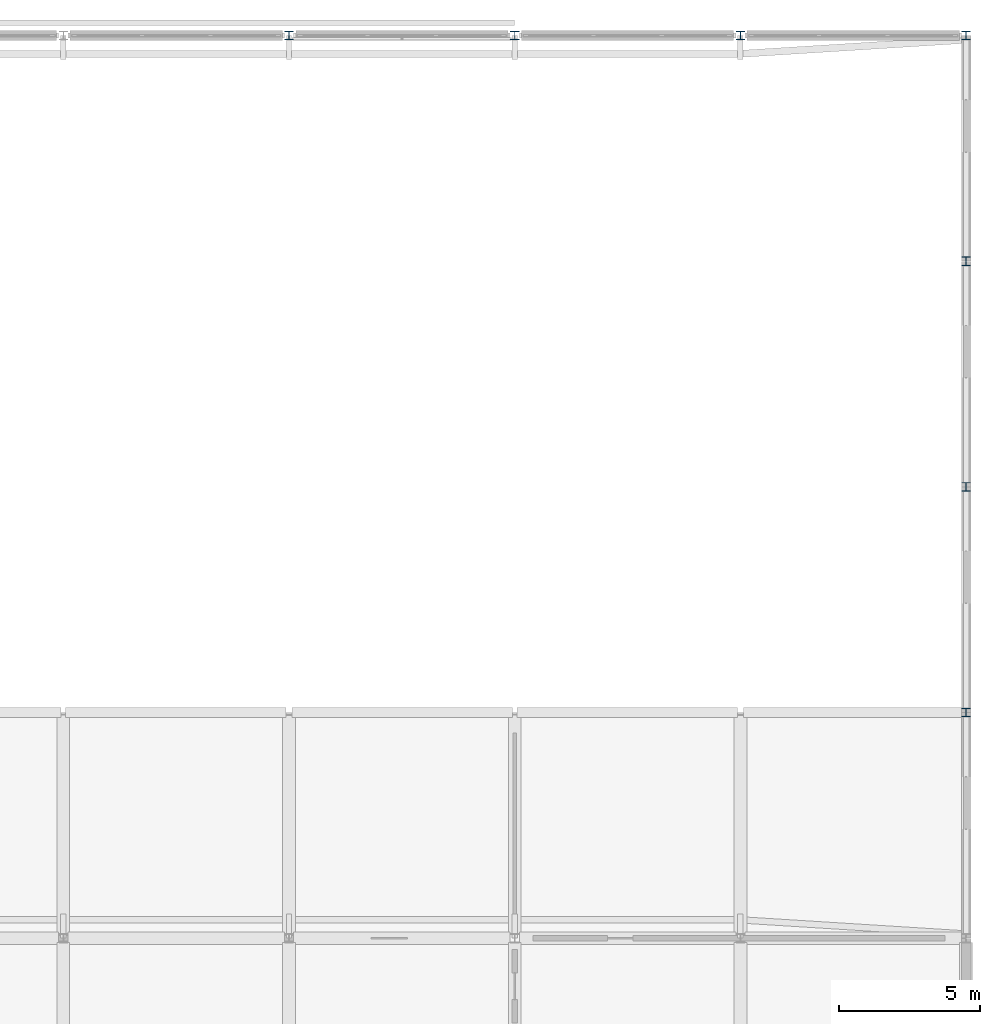
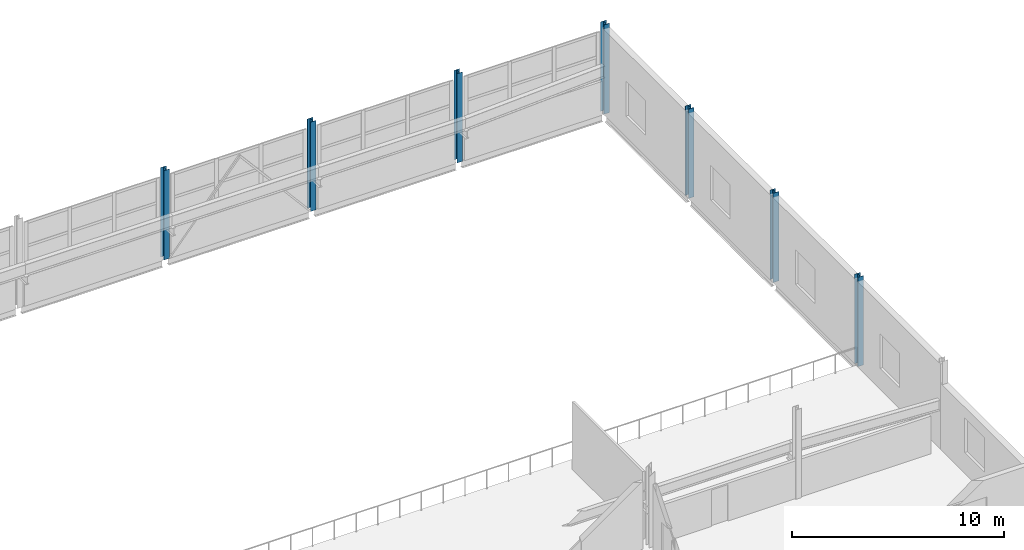
# One storey, part 17 of 106: 7 columns.
"""IFC4 building model written with IfcOpenShell, lengths in metres."""

import ifcopenshell
import ifcopenshell.guid

model = None  # the IFC model being written
_history = None  # IfcOwnerHistory: only IFC2X3 demands one
_inside = {}  # id of a spatial element -> (the spatial element, [elements in it])
_under = {}  # id of a project, library or spatial element -> (it, [spatial elements below it])
_declared = {}  # id of a project -> (the project, [libraries it declares])
_typed = {}  # id of a type object -> (the type object, [elements of that type])
_made_of = {}  # id of a material, layer set ... -> (it, [elements and type objects made of it])


def new_model(schema):
    """Start an empty IFC model of exactly this schema.

    Asked for "IFC4X3", IfcOpenShell would pick the latest addendum, in which some entities
    have other attributes; the version numbers below select the first issue.
    IFC2X3 requires an IfcOwnerHistory on every rooted entity: one is made here for all.
    """
    global model, _history
    if schema == "IFC4X3":
        model = ifcopenshell.file(schema_version=(4, 3, 0, 0))
    else:
        model = ifcopenshell.file(schema=schema)
    _inside.clear()
    _under.clear()
    _declared.clear()
    _typed.clear()
    _made_of.clear()
    _history = None
    if model.schema == "IFC2X3":
        org = make("IfcOrganization", Name="unknown")
        user = make(
            "IfcPersonAndOrganization",
            ThePerson=make("IfcPerson", FamilyName="unknown"),
            TheOrganization=org,
        )
        app = make(
            "IfcApplication",
            ApplicationDeveloper=org,
            Version="unknown",
            ApplicationFullName="unknown",
            ApplicationIdentifier="unknown",
        )
        _history = make(
            "IfcOwnerHistory",
            OwningUser=user,
            OwningApplication=app,
            ChangeAction="ADDED",
            CreationDate=0,
        )
    return model


def make(cls, **values):
    """One entity of the class cls with the attributes given. An attribute that is None is left unset."""
    return model.create_entity(
        cls, **{name: value for name, value in values.items() if value is not None}
    )


def rooted(cls, **values):
    """An entity with a GlobalId (a new one), such as an element, a storey or a relation."""
    return make(cls, GlobalId=ifcopenshell.guid.new(), OwnerHistory=_history, **values)


def si_unit(unit_type, name, prefix=None):
    """IfcSIUnit, for example si_unit("LENGTHUNIT", "METRE", prefix="MILLI")."""
    return make("IfcSIUnit", UnitType=unit_type, Prefix=prefix, Name=name)


def assignment(units):
    """IfcUnitAssignment: the units of a project."""
    return None if units is None else make("IfcUnitAssignment", Units=units)


def point(xyz):
    """IfcCartesianPoint."""
    return None if xyz is None else make("IfcCartesianPoint", Coordinates=xyz)


def direction(xyz):
    """IfcDirection."""
    return None if xyz is None else make("IfcDirection", DirectionRatios=xyz)


def frame(location, z_axis=None, x_axis=None):
    """IfcAxis2Placement3D, a coordinate frame: its origin and axes. An axis left out is left unset."""
    return make(
        "IfcAxis2Placement3D",
        Location=point(location),
        Axis=direction(z_axis),
        RefDirection=direction(x_axis),
    )


def frame_2d(location, x_axis=None):
    """IfcAxis2Placement2D, a coordinate frame in the plane: its origin and x axis."""
    return make(
        "IfcAxis2Placement2D", Location=point(location), RefDirection=direction(x_axis)
    )


def origin():
    """The frame at (0, 0, 0) with its axes left unset."""
    return frame((0.0, 0.0, 0.0))


def origin_2d():
    """The frame at (0, 0) in the plane with its x axis left unset."""
    return frame_2d((0.0, 0.0))


def place(relative_to, where):
    """IfcLocalPlacement: puts the frame where relative to a parent placement (None: the world)."""
    return make(
        "IfcLocalPlacement", PlacementRelTo=relative_to, RelativePlacement=where
    )


def context(
    kind, dimensions, precision=None, world=None, true_north=None, identifier=None
):
    """IfcGeometricRepresentationContext, for example the 3D "Model" context."""
    return make(
        "IfcGeometricRepresentationContext",
        ContextIdentifier=identifier,
        ContextType=kind,
        CoordinateSpaceDimension=dimensions,
        Precision=precision,
        WorldCoordinateSystem=world,
        TrueNorth=true_north,
    )


def subcontext(parent, identifier, kind, view, scale=None):
    """IfcGeometricRepresentationSubContext, for example "Body" below "Model"."""
    return make(
        "IfcGeometricRepresentationSubContext",
        ContextIdentifier=identifier,
        ContextType=kind,
        ParentContext=parent,
        TargetScale=scale,
        TargetView=view,
    )


def project(units=None, contexts=None):
    """IfcProject with its units and contexts."""
    return rooted(
        "IfcProject",
        Name="project",
        RepresentationContexts=contexts,
        UnitsInContext=assignment(units),
    )


def spatial(cls, under=None, at=None, **own):
    """A site, building, storey or space (cls), placed at a placement, below another one or the project."""
    s = rooted(cls, ObjectPlacement=at, **own)
    if under is not None:
        _under.setdefault(under.id(), (under, []))[1].append(s)
    return s


def profile(cls, at=None, kind="AREA", **sizes):
    """A parametric profile (cls). Its sizes go by their IFC names, for example OverallWidth=200.0."""
    return make(cls, ProfileType=kind, Position=at, **sizes)


def i_section(**sizes):
    """IfcIShapeProfileDef."""
    return profile("IfcIShapeProfileDef", **sizes)


def extrude(swept, where, along, depth):
    """IfcExtrudedAreaSolid: the profile swept, set in the frame where, extruded along a direction by depth."""
    return make(
        "IfcExtrudedAreaSolid",
        SweptArea=swept,
        Position=where,
        ExtrudedDirection=direction(along),
        Depth=depth,
    )


def shape(context_of_items, identifier, shape_type, items):
    """IfcShapeRepresentation: the items that make up one representation, for example the "Body"."""
    return make(
        "IfcShapeRepresentation",
        ContextOfItems=context_of_items,
        RepresentationIdentifier=identifier,
        RepresentationType=shape_type,
        Items=items,
    )


def material(Name=None, Category=None):
    """IfcMaterial."""
    return make("IfcMaterial", Name=Name, Category=Category)


def material_profile(
    of_material, cross_section, Name=None, Category=None, Priority=None
):
    """IfcMaterialProfile: a cross section and its material."""
    return make(
        "IfcMaterialProfile",
        Name=Name,
        Material=of_material,
        Profile=cross_section,
        Priority=Priority,
        Category=Category,
    )


def profile_set(profiles, Name=None, composite=None):
    """IfcMaterialProfileSet."""
    return make(
        "IfcMaterialProfileSet",
        Name=Name,
        MaterialProfiles=profiles,
        CompositeProfile=composite,
    )


def made_of(thing, what):
    """Note that an element or type object is made of a material, layer set ...; save() writes the relation."""
    if what is not None:
        _made_of.setdefault(what.id(), (what, []))[1].append(thing)
    return thing


def type_object(cls, material=None, **own):
    """A type object (cls), such as IfcWallType, which elements share."""
    return made_of(rooted(cls, **own), material)


def element(
    cls,
    number,
    at=None,
    inside=None,
    cuts=None,
    type_object=None,
    material=None,
    context=None,
    identifier="Body",
    shape_type=None,
    held_by="IfcProductDefinitionShape",
    body=None,
    shapes=None,
    **own,
):
    """One element of the class cls, such as IfcWall. Its Tag is "e" and its number.

    at: its placement. inside: the storey or other place that contains it. cuts: it is an
    opening in that element (IfcRelVoidsElement). A single representation is given by context,
    identifier, shape_type and body (its items); several are given by shapes. held_by: the class
    of the entity that holds the representations. save() writes the other relations.
    """
    e = rooted(cls, Tag="e%d" % number, ObjectPlacement=at, **own)
    if body is not None:
        shapes = [shape(context, identifier, shape_type, body)]
    if shapes is not None:
        e.Representation = make(held_by, Representations=shapes)
    if inside is not None:
        _inside.setdefault(inside.id(), (inside, []))[1].append(e)
    if cuts is not None:
        rooted(
            "IfcRelVoidsElement", RelatingBuildingElement=cuts, RelatedOpeningElement=e
        )
    if type_object is not None:
        _typed.setdefault(type_object.id(), (type_object, []))[1].append(e)
    return made_of(e, material)


def aggregate(whole, parts):
    """IfcRelAggregates: a whole, such as a stair, and the parts it consists of."""
    return rooted("IfcRelAggregates", RelatingObject=whole, RelatedObjects=parts)


def save(model, path):
    """Write the relations noted so far, then the file.

    IfcRelAggregates (storeys below a building ...), IfcRelContainedInSpatialStructure (elements
    in a storey), IfcRelDefinesByType, IfcRelAssociatesMaterial and IfcRelDeclares: one each for
    every whole, place, type object, material and project.
    """
    for whole, parts in _under.values():
        aggregate(whole, parts)
    for where, things in _inside.values():
        rooted(
            "IfcRelContainedInSpatialStructure",
            RelatedElements=things,
            RelatingStructure=where,
        )
    for kind, things in _typed.values():
        rooted("IfcRelDefinesByType", RelatedObjects=things, RelatingType=kind)
    for what, things in _made_of.values():
        rooted("IfcRelAssociatesMaterial", RelatedObjects=things, RelatingMaterial=what)
    for by, libraries in _declared.values():
        rooted("IfcRelDeclares", RelatingContext=by, RelatedDefinitions=libraries)
    model.write(path)


model = new_model("IFC4")

# Units and contexts
model_context = context("Model", 3, precision=1e-05, world=origin(), true_north=direction((0.0, 1.0)))
body_context = subcontext(model_context, "Body", "Model", "MODEL_VIEW")
ifc_project = project(units=[si_unit("LENGTHUNIT", "METRE"), si_unit("AREAUNIT", "SQUARE_METRE"), si_unit("VOLUMEUNIT", "CUBIC_METRE"), si_unit("PLANEANGLEUNIT", "RADIAN"), si_unit("MASSUNIT", "GRAM", prefix="KILO")], contexts=[model_context])

# Site, building, storey
site_placement = place(None, origin())
site = spatial("IfcSite", under=ifc_project, at=site_placement, CompositionType="ELEMENT")
building_placement = place(site_placement, origin())
building = spatial("IfcBuilding", under=site, at=building_placement, Name="Jelvoka-Kovrelna Polytechnic", CompositionType="ELEMENT")
storey_placement = place(building_placement, frame((0.0, 0.0, 4.800048828125)))
storey = spatial("IfcBuildingStorey", under=building, at=storey_placement, Name="L02", CompositionType="ELEMENT", Elevation=4.800048828125)

# Columns
ifc_material = material(Name="Structural steel S355JR", Category="steel")
ifc_material_profile = material_profile(ifc_material, i_section(OverallWidth=0.305419921875, OverallDepth=0.307861328125, WebThickness=0.010009765625, FlangeThickness=0.015380859375, FilletRadius=0.01513671875, at=origin_2d()), Name="305x305x97 UC")
ifc_profile_set = profile_set([ifc_material_profile], Name="Structural steel S355JR")
column_type = type_object("IfcColumnType", Name="Col_Steel_UC305", PredefinedType="COLUMN", material=ifc_profile_set)
for number, where, z_axis, x_axis, name in (
    (1, (200.0, 96.0, 0.0), (0.0, 0.0, 1.0), (1.0, 0.0, 0.0), "L02 column 1607"),
    (2, (200.0, 104.0, 0.0), (0.0, 0.0, 1.0), (1.0, 0.0, 0.0), "L02 column 1613"),
    (3, (200.0, 112.0, 0.0), (0.0, 0.0, 1.0), (1.0, 0.0, 0.0), "L02 column 1619"),
    (4, (176.0, 120.0, 0.0), (0.0, 0.0, 1.0), (1.0, 0.0, 0.0), "L02 column 1655"),
    (5, (184.0, 120.0, 0.0), (0.0, 0.0, 1.0), (1.0, 0.0, 0.0), "L02 column 1658"),
    (6, (192.0, 120.0, 0.0), (0.0, 0.0, 1.0), (1.0, 0.0, 0.0), "L02 column 1661"),
    (7, (200.0, 120.0, 0.0), (0.0, 0.0, 1.0), (1.0, 0.0, 0.0), "L02 column 1664"),
):
    element("IfcColumn", number, at=place(storey_placement, frame(where, z_axis=z_axis, x_axis=x_axis)), inside=storey, type_object=column_type, Name=name, PredefinedType="COLUMN", context=body_context, shape_type="SweptSolid", body=[
        extrude(i_section(OverallWidth=0.305419921875, OverallDepth=0.307861328125, WebThickness=0.010009765625, FlangeThickness=0.015380859375, FilletRadius=0.01513671875, at=origin_2d()), origin(), (0.0, 0.0, 1.0), 5.14990234375),
    ])

save(model, "model.ifc")
